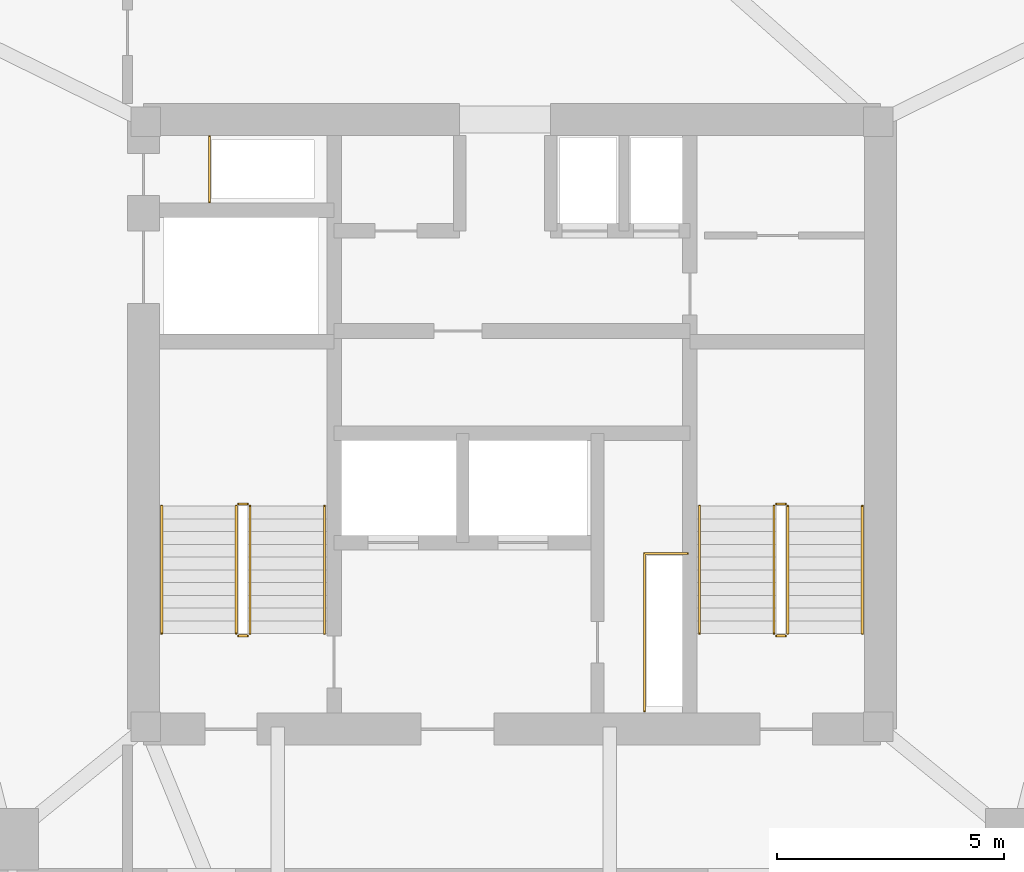
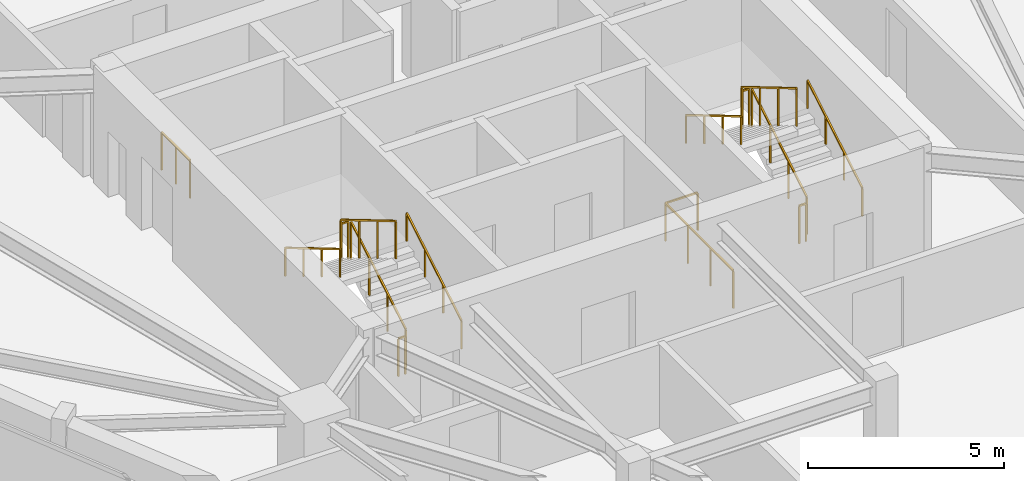
# One storey, part 12 of 12: 14 railings.
"""IFC4 building model written with IfcOpenShell, lengths in metres."""

from ifc_helpers import new_model, si_unit, direction, frame, origin, origin_2d, place, context, subcontext, project, spatial, rectangle, extrude, material, type_object, element, save


model = new_model("IFC4")

# Units and contexts
model_context = context("Model", 3, precision=1e-05, world=origin(), true_north=direction((0.0, 1.0)))
body_context = subcontext(model_context, "Body", "Model", "MODEL_VIEW")
ifc_project = project(units=[si_unit("LENGTHUNIT", "METRE"), si_unit("AREAUNIT", "SQUARE_METRE"), si_unit("VOLUMEUNIT", "CUBIC_METRE"), si_unit("PLANEANGLEUNIT", "RADIAN"), si_unit("MASSUNIT", "GRAM", prefix="KILO")], contexts=[model_context])

# Site, building, storey
site_placement = place(None, origin())
site = spatial("IfcSite", under=ifc_project, at=site_placement, CompositionType="ELEMENT")
building_placement = place(site_placement, origin())
building = spatial("IfcBuilding", under=site, at=building_placement, Name="Talyreon Biosciences Tower", CompositionType="ELEMENT")
storey_placement = place(building_placement, frame((0.0, 0.0, 194.0)))
storey = spatial("IfcBuildingStorey", under=building, at=storey_placement, Name="L51", CompositionType="ELEMENT", Elevation=194.0)

# Railings
ifc_material_1 = material(Name="Brushed stainless-steel tubular handrail", Category="steel")
railing_type_1 = type_object("IfcRailingType", Name="StairWallHandrail_900", PredefinedType="HANDRAIL", material=ifc_material_1)
railing_1_placement = place(storey_placement, frame((61.8798828125, 63.39990234375, 0.166015625)))
element("IfcRailing", 1, at=railing_1_placement, inside=storey, type_object=railing_type_1, Name="L51 ST-1 stair handrail 1", PredefinedType="HANDRAIL", context=body_context, shape_type="SweptSolid", body=[
    extrude(rectangle(XDim=0.048095703125, YDim=0.048095703125, at=origin_2d()), frame((0.0, 0.0, 0.8759765625), z_axis=(0.0, 0.860339051648, 0.50972219513), x_axis=(-1.0, 0.0, 0.0)), (0.0, 0.0, 1.0), 3.254638671875),
    extrude(rectangle(XDim=0.0419921875, YDim=0.0419921875, at=origin_2d()), origin(), (0.0, 0.0, 1.0), 0.851806640625),
    extrude(rectangle(XDim=0.0419921875, YDim=0.0419921875, at=origin_2d()), frame((0.0, 0.933349609375, 0.552978515625)), (0.0, 0.0, 1.0), 0.851806640625),
    extrude(rectangle(XDim=0.0419921875, YDim=0.0419921875, at=origin_2d()), frame((0.0, 1.86669921875, 1.10595703125)), (0.0, 0.0, 1.0), 0.851806640625),
    extrude(rectangle(XDim=0.0419921875, YDim=0.0419921875, at=origin_2d()), frame((0.0, 2.800048828125, 1.658935546875)), (0.0, 0.0, 1.0), 0.851806640625),
])
railing_2_placement = place(storey_placement, frame((58.300048828125, 66.199951171875, 1.990966796875)))
element("IfcRailing", 2, at=railing_2_placement, inside=storey, type_object=railing_type_1, Name="L51 ST-1 stair handrail 2", PredefinedType="HANDRAIL", context=body_context, shape_type="SweptSolid", body=[
    extrude(rectangle(XDim=0.048095703125, YDim=0.048095703125, at=origin_2d()), frame((0.0, 0.0, 0.8759765625), z_axis=(0.0, -0.860339051648, 0.50972219513), x_axis=(1.0, 0.0, 0.0)), (0.0, 0.0, 1.0), 3.254638671875),
    extrude(rectangle(XDim=0.0419921875, YDim=0.0419921875, at=origin_2d()), origin(), (0.0, 0.0, 1.0), 0.851806640625),
    extrude(rectangle(XDim=0.0419921875, YDim=0.0419921875, at=origin_2d()), frame((0.0, -0.933349609375, 0.552978515625)), (0.0, 0.0, 1.0), 0.851806640625),
    extrude(rectangle(XDim=0.0419921875, YDim=0.0419921875, at=origin_2d()), frame((0.0, -1.86669921875, 1.10595703125)), (0.0, 0.0, 1.0), 0.851806640625),
    extrude(rectangle(XDim=0.0419921875, YDim=0.0419921875, at=origin_2d()), frame((0.0, -2.800048828125, 1.658935546875)), (0.0, 0.0, 1.0), 0.851806640625),
])
railing_3_placement = place(storey_placement, frame((73.699951171875, 63.39990234375, 0.166015625)))
element("IfcRailing", 3, at=railing_3_placement, inside=storey, type_object=railing_type_1, Name="L51 ST-2 stair handrail 1", PredefinedType="HANDRAIL", context=body_context, shape_type="SweptSolid", body=[
    extrude(rectangle(XDim=0.048095703125, YDim=0.048095703125, at=origin_2d()), frame((0.0, 0.0, 0.8759765625), z_axis=(0.0, 0.860339051648, 0.50972219513), x_axis=(-1.0, 0.0, 0.0)), (0.0, 0.0, 1.0), 3.254638671875),
    extrude(rectangle(XDim=0.0419921875, YDim=0.0419921875, at=origin_2d()), origin(), (0.0, 0.0, 1.0), 0.851806640625),
    extrude(rectangle(XDim=0.0419921875, YDim=0.0419921875, at=origin_2d()), frame((0.0, 0.933349609375, 0.552978515625)), (0.0, 0.0, 1.0), 0.851806640625),
    extrude(rectangle(XDim=0.0419921875, YDim=0.0419921875, at=origin_2d()), frame((0.0, 1.86669921875, 1.10595703125)), (0.0, 0.0, 1.0), 0.851806640625),
    extrude(rectangle(XDim=0.0419921875, YDim=0.0419921875, at=origin_2d()), frame((0.0, 2.800048828125, 1.658935546875)), (0.0, 0.0, 1.0), 0.851806640625),
])
railing_4_placement = place(storey_placement, frame((70.1201171875, 66.199951171875, 1.990966796875)))
element("IfcRailing", 4, at=railing_4_placement, inside=storey, type_object=railing_type_1, Name="L51 ST-2 stair handrail 2", PredefinedType="HANDRAIL", context=body_context, shape_type="SweptSolid", body=[
    extrude(rectangle(XDim=0.048095703125, YDim=0.048095703125, at=origin_2d()), frame((0.0, 0.0, 0.8759765625), z_axis=(0.0, -0.860339051648, 0.50972219513), x_axis=(1.0, 0.0, 0.0)), (0.0, 0.0, 1.0), 3.254638671875),
    extrude(rectangle(XDim=0.0419921875, YDim=0.0419921875, at=origin_2d()), origin(), (0.0, 0.0, 1.0), 0.851806640625),
    extrude(rectangle(XDim=0.0419921875, YDim=0.0419921875, at=origin_2d()), frame((0.0, -0.933349609375, 0.552978515625)), (0.0, 0.0, 1.0), 0.851806640625),
    extrude(rectangle(XDim=0.0419921875, YDim=0.0419921875, at=origin_2d()), frame((0.0, -1.86669921875, 1.10595703125)), (0.0, 0.0, 1.0), 0.851806640625),
    extrude(rectangle(XDim=0.0419921875, YDim=0.0419921875, at=origin_2d()), frame((0.0, -2.800048828125, 1.658935546875)), (0.0, 0.0, 1.0), 0.851806640625),
])
ifc_material_2 = material(Name="Painted galvanised steel post-and-rail balustrade", Category="steel")
railing_type_2 = type_object("IfcRailingType", Name="TerraceStairGuard_1200", PredefinedType="GUARDRAIL", material=ifc_material_2)
railing_5_placement = place(storey_placement, frame((60.239990234375, 63.39990234375, 0.166015625)))
element("IfcRailing", 5, at=railing_5_placement, inside=storey, type_object=railing_type_2, Name="L51 ST-1 stair guard 1", PredefinedType="GUARDRAIL", context=body_context, shape_type="SweptSolid", body=[
    extrude(rectangle(XDim=0.048095703125, YDim=0.048095703125, at=origin_2d()), frame((0.0, 0.0, 1.17578125), z_axis=(0.0, 0.860339051648, 0.50972219513), x_axis=(-1.0, 0.0, 0.0)), (0.0, 0.0, 1.0), 3.254638671875),
    extrude(rectangle(XDim=0.0419921875, YDim=0.0419921875, at=origin_2d()), origin(), (0.0, 0.0, 1.0), 1.15185546875),
    extrude(rectangle(XDim=0.0419921875, YDim=0.0419921875, at=origin_2d()), frame((0.0, 0.933349609375, 0.552978515625)), (0.0, 0.0, 1.0), 1.15185546875),
    extrude(rectangle(XDim=0.0419921875, YDim=0.0419921875, at=origin_2d()), frame((0.0, 1.86669921875, 1.10595703125)), (0.0, 0.0, 1.0), 1.15185546875),
    extrude(rectangle(XDim=0.0419921875, YDim=0.0419921875, at=origin_2d()), frame((0.0, 2.800048828125, 1.658935546875)), (0.0, 0.0, 1.0), 1.15185546875),
])
railing_6_placement = place(storey_placement, frame((60.18994140625, 66.25, 1.824951171875)))
element("IfcRailing", 6, at=railing_6_placement, inside=storey, type_object=railing_type_2, Name="L51 ST-1 stair guard 2", PredefinedType="GUARDRAIL", context=body_context, shape_type="SweptSolid", body=[
    extrude(rectangle(XDim=0.048095703125, YDim=0.048095703125, at=origin_2d()), frame((0.0, 0.0, 1.17578125), z_axis=(-1.0, 0.0, 0.0), x_axis=(0.0, -1.0, 0.0)), (0.0, 0.0, 1.0), 0.199951171875),
    extrude(rectangle(XDim=0.0419921875, YDim=0.0419921875, at=origin_2d()), origin(), (0.0, 0.0, 1.0), 1.15185546875),
    extrude(rectangle(XDim=0.0419921875, YDim=0.0419921875, at=origin_2d()), frame((-0.199951171875, 0.0, 0.0)), (0.0, 0.0, 1.0), 1.15185546875),
])
railing_7_placement = place(storey_placement, frame((59.93994140625, 66.199951171875, 1.990966796875)))
element("IfcRailing", 7, at=railing_7_placement, inside=storey, type_object=railing_type_2, Name="L51 ST-1 stair guard 3", PredefinedType="GUARDRAIL", context=body_context, shape_type="SweptSolid", body=[
    extrude(rectangle(XDim=0.048095703125, YDim=0.048095703125, at=origin_2d()), frame((0.0, 0.0, 1.17578125), z_axis=(0.0, -0.860339051648, 0.50972219513), x_axis=(1.0, 0.0, 0.0)), (0.0, 0.0, 1.0), 3.254638671875),
    extrude(rectangle(XDim=0.0419921875, YDim=0.0419921875, at=origin_2d()), origin(), (0.0, 0.0, 1.0), 1.15185546875),
    extrude(rectangle(XDim=0.0419921875, YDim=0.0419921875, at=origin_2d()), frame((0.0, -0.933349609375, 0.552978515625)), (0.0, 0.0, 1.0), 1.15185546875),
    extrude(rectangle(XDim=0.0419921875, YDim=0.0419921875, at=origin_2d()), frame((0.0, -1.86669921875, 1.10595703125)), (0.0, 0.0, 1.0), 1.15185546875),
    extrude(rectangle(XDim=0.0419921875, YDim=0.0419921875, at=origin_2d()), frame((0.0, -2.800048828125, 1.658935546875)), (0.0, 0.0, 1.0), 1.15185546875),
])
railing_8_placement = place(storey_placement, frame((60.18994140625, 63.35009765625, 0.0)))
element("IfcRailing", 8, at=railing_8_placement, inside=storey, type_object=railing_type_2, Name="L51 ST-1 stair guard 4", PredefinedType="GUARDRAIL", context=body_context, shape_type="SweptSolid", body=[
    extrude(rectangle(XDim=0.048095703125, YDim=0.048095703125, at=origin_2d()), frame((0.0, 0.0, 1.17578125), z_axis=(-1.0, 0.0, 0.0), x_axis=(0.0, -1.0, 0.0)), (0.0, 0.0, 1.0), 0.199951171875),
    extrude(rectangle(XDim=0.0419921875, YDim=0.0419921875, at=origin_2d()), origin(), (0.0, 0.0, 1.0), 1.15185546875),
    extrude(rectangle(XDim=0.0419921875, YDim=0.0419921875, at=origin_2d()), frame((-0.199951171875, 0.0, 0.0)), (0.0, 0.0, 1.0), 1.15185546875),
])
railing_9_placement = place(storey_placement, frame((72.06005859375, 63.39990234375, 0.166015625)))
element("IfcRailing", 9, at=railing_9_placement, inside=storey, type_object=railing_type_2, Name="L51 ST-2 stair guard 1", PredefinedType="GUARDRAIL", context=body_context, shape_type="SweptSolid", body=[
    extrude(rectangle(XDim=0.048095703125, YDim=0.048095703125, at=origin_2d()), frame((0.0, 0.0, 1.17578125), z_axis=(0.0, 0.860339051648, 0.50972219513), x_axis=(-1.0, 0.0, 0.0)), (0.0, 0.0, 1.0), 3.254638671875),
    extrude(rectangle(XDim=0.0419921875, YDim=0.0419921875, at=origin_2d()), origin(), (0.0, 0.0, 1.0), 1.15185546875),
    extrude(rectangle(XDim=0.0419921875, YDim=0.0419921875, at=origin_2d()), frame((0.0, 0.933349609375, 0.552978515625)), (0.0, 0.0, 1.0), 1.15185546875),
    extrude(rectangle(XDim=0.0419921875, YDim=0.0419921875, at=origin_2d()), frame((0.0, 1.86669921875, 1.10595703125)), (0.0, 0.0, 1.0), 1.15185546875),
    extrude(rectangle(XDim=0.0419921875, YDim=0.0419921875, at=origin_2d()), frame((0.0, 2.800048828125, 1.658935546875)), (0.0, 0.0, 1.0), 1.15185546875),
])
railing_10_placement = place(storey_placement, frame((72.010009765625, 66.25, 1.824951171875)))
element("IfcRailing", 10, at=railing_10_placement, inside=storey, type_object=railing_type_2, Name="L51 ST-2 stair guard 2", PredefinedType="GUARDRAIL", context=body_context, shape_type="SweptSolid", body=[
    extrude(rectangle(XDim=0.048095703125, YDim=0.048095703125, at=origin_2d()), frame((0.0, 0.0, 1.17578125), z_axis=(-1.0, 0.0, 0.0), x_axis=(0.0, -1.0, 0.0)), (0.0, 0.0, 1.0), 0.199951171875),
    extrude(rectangle(XDim=0.0419921875, YDim=0.0419921875, at=origin_2d()), origin(), (0.0, 0.0, 1.0), 1.15185546875),
    extrude(rectangle(XDim=0.0419921875, YDim=0.0419921875, at=origin_2d()), frame((-0.199951171875, 0.0, 0.0)), (0.0, 0.0, 1.0), 1.15185546875),
])
railing_11_placement = place(storey_placement, frame((71.760009765625, 66.199951171875, 1.990966796875)))
element("IfcRailing", 11, at=railing_11_placement, inside=storey, type_object=railing_type_2, Name="L51 ST-2 stair guard 3", PredefinedType="GUARDRAIL", context=body_context, shape_type="SweptSolid", body=[
    extrude(rectangle(XDim=0.048095703125, YDim=0.048095703125, at=origin_2d()), frame((0.0, 0.0, 1.17578125), z_axis=(0.0, -0.860339051648, 0.50972219513), x_axis=(1.0, 0.0, 0.0)), (0.0, 0.0, 1.0), 3.254638671875),
    extrude(rectangle(XDim=0.0419921875, YDim=0.0419921875, at=origin_2d()), origin(), (0.0, 0.0, 1.0), 1.15185546875),
    extrude(rectangle(XDim=0.0419921875, YDim=0.0419921875, at=origin_2d()), frame((0.0, -0.933349609375, 0.552978515625)), (0.0, 0.0, 1.0), 1.15185546875),
    extrude(rectangle(XDim=0.0419921875, YDim=0.0419921875, at=origin_2d()), frame((0.0, -1.86669921875, 1.10595703125)), (0.0, 0.0, 1.0), 1.15185546875),
    extrude(rectangle(XDim=0.0419921875, YDim=0.0419921875, at=origin_2d()), frame((0.0, -2.800048828125, 1.658935546875)), (0.0, 0.0, 1.0), 1.15185546875),
])
railing_12_placement = place(storey_placement, frame((72.010009765625, 63.35009765625, 0.0)))
element("IfcRailing", 12, at=railing_12_placement, inside=storey, type_object=railing_type_2, Name="L51 ST-2 stair guard 4", PredefinedType="GUARDRAIL", context=body_context, shape_type="SweptSolid", body=[
    extrude(rectangle(XDim=0.048095703125, YDim=0.048095703125, at=origin_2d()), frame((0.0, 0.0, 1.17578125), z_axis=(-1.0, 0.0, 0.0), x_axis=(0.0, -1.0, 0.0)), (0.0, 0.0, 1.0), 0.199951171875),
    extrude(rectangle(XDim=0.0419921875, YDim=0.0419921875, at=origin_2d()), origin(), (0.0, 0.0, 1.0), 1.15185546875),
    extrude(rectangle(XDim=0.0419921875, YDim=0.0419921875, at=origin_2d()), frame((-0.199951171875, 0.0, 0.0)), (0.0, 0.0, 1.0), 1.15185546875),
])
railing_13_placement = place(storey_placement, frame((59.35009765625, 72.8798828125, 0.0)))
element("IfcRailing", 13, at=railing_13_placement, inside=storey, type_object=railing_type_2, Name="L51 Exhaust Riser Maintenance Guardrail", PredefinedType="GUARDRAIL", context=body_context, shape_type="SweptSolid", body=[
    extrude(rectangle(XDim=0.048095703125, YDim=0.048095703125, at=origin_2d()), frame((0.0, 0.0, 1.17578125), z_axis=(0.0, 1.0, 0.0), x_axis=(-1.0, 0.0, 0.0)), (0.0, 0.0, 1.0), 1.4501953125),
    extrude(rectangle(XDim=0.0419921875, YDim=0.0419921875, at=origin_2d()), origin(), (0.0, 0.0, 1.0), 1.15185546875),
    extrude(rectangle(XDim=0.0419921875, YDim=0.0419921875, at=origin_2d()), frame((0.0, 0.72509765625, 0.0)), (0.0, 0.0, 1.0), 1.15185546875),
    extrude(rectangle(XDim=0.0419921875, YDim=0.0419921875, at=origin_2d()), frame((0.0, 1.4501953125, 0.0)), (0.0, 0.0, 1.0), 1.15185546875),
])
railing_14_placement = place(storey_placement, frame((68.909912109375, 61.699951171875, 0.0)))
element("IfcRailing", 14, at=railing_14_placement, inside=storey, type_object=railing_type_2, Name="L51 Electrical Riser Maintenance Guardrail", PredefinedType="GUARDRAIL", context=body_context, shape_type="SweptSolid", body=[
    extrude(rectangle(XDim=0.048095703125, YDim=0.048095703125, at=origin_2d()), frame((0.0, 0.0, 1.17578125), z_axis=(0.0, 1.0, 0.0), x_axis=(-1.0, 0.0, 0.0)), (0.0, 0.0, 1.0), 3.4599609375),
    extrude(rectangle(XDim=0.048095703125, YDim=0.048095703125, at=origin_2d()), frame((0.0, 3.4599609375, 1.17578125), z_axis=(1.0, 0.0, 0.0), x_axis=(0.0, 1.0, 0.0)), (0.0, 0.0, 1.0), 0.9501953125),
    extrude(rectangle(XDim=0.0419921875, YDim=0.0419921875, at=origin_2d()), origin(), (0.0, 0.0, 1.0), 1.15185546875),
    extrude(rectangle(XDim=0.0419921875, YDim=0.0419921875, at=origin_2d()), frame((0.0, 1.1533203125, 0.0)), (0.0, 0.0, 1.0), 1.15185546875),
    extrude(rectangle(XDim=0.0419921875, YDim=0.0419921875, at=origin_2d()), frame((0.0, 2.306640625, 0.0)), (0.0, 0.0, 1.0), 1.15185546875),
    extrude(rectangle(XDim=0.0419921875, YDim=0.0419921875, at=origin_2d()), frame((0.0, 3.4599609375, 0.0)), (0.0, 0.0, 1.0), 1.15185546875),
    extrude(rectangle(XDim=0.0419921875, YDim=0.0419921875, at=origin_2d()), frame((0.9501953125, 3.4599609375, 0.0)), (0.0, 0.0, 1.0), 1.15185546875),
])

save(model, "model.ifc")
